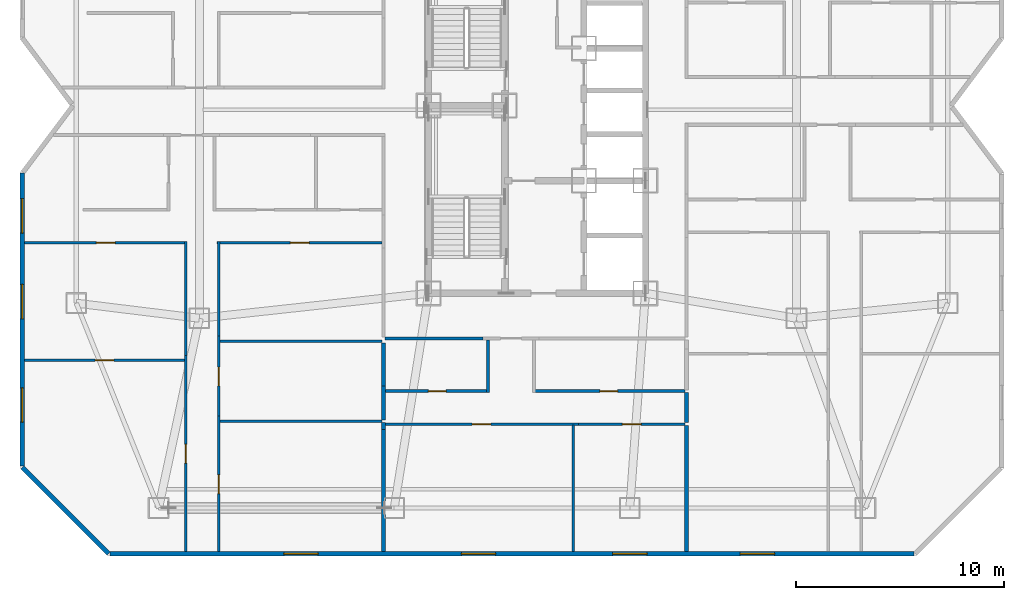
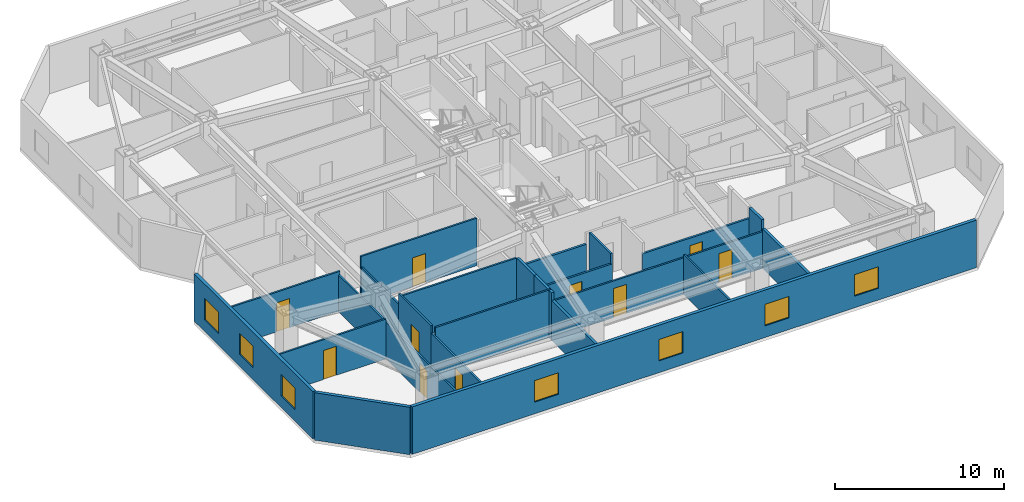
# One storey, part 4 of 10: 26 walls, 10 doors, 7 windows, 17 openings.
"""IFC4 building model written with IfcOpenShell, lengths in metres."""

from ifc_helpers import new_model, si_unit, direction, frame, frame_2d, origin, place, context, subcontext, project, spatial, rectangle, extrude, material, layer, layer_set, type_object, element, fill, save


model = new_model("IFC4")

# Units and contexts
model_context = context("Model", 3, precision=1e-05, world=origin(), true_north=direction((0.0, 1.0)))
body_context = subcontext(model_context, "Body", "Model", "MODEL_VIEW")
ifc_project = project(units=[si_unit("LENGTHUNIT", "METRE"), si_unit("AREAUNIT", "SQUARE_METRE"), si_unit("VOLUMEUNIT", "CUBIC_METRE"), si_unit("PLANEANGLEUNIT", "RADIAN"), si_unit("MASSUNIT", "GRAM", prefix="KILO")], contexts=[model_context])

# Site, building, storey
site_placement = place(None, origin())
site = spatial("IfcSite", under=ifc_project, at=site_placement, CompositionType="ELEMENT")
building_placement = place(site_placement, origin())
building = spatial("IfcBuilding", under=site, at=building_placement, Name="Khamvora Tower", CompositionType="ELEMENT")
storey_placement = place(building_placement, frame((0.0, 0.0, 94.60009765625)))
storey = spatial("IfcBuildingStorey", under=building, at=storey_placement, Name="L23", CompositionType="ELEMENT", Elevation=94.60009765625)

# Walls
ifc_material_1 = material(Name="Fire-Rated Drywall and Steel Stud", Category="steel")
ifc_layer_1 = layer(ifc_material_1, 0.14990234375)
ifc_layer_set_1 = layer_set([ifc_layer_1], Name="Fire-Rated Drywall and Steel Stud")
wall_type_1 = type_object("IfcWallType", Name="WAL-CORR-150", PredefinedType="STANDARD", material=ifc_layer_set_1)
wall_1_placement = place(storey_placement, frame((31.60107421875, 16.8349609375, 0.0), z_axis=(0.0, 0.0, 1.0), x_axis=(-1.0, 0.0, 0.0)))
element("IfcWall", 1, at=wall_1_placement, inside=storey, type_object=wall_type_1, Name="L23 interior partition wall 019", PredefinedType="STANDARD", context=body_context, shape_type="SweptSolid", body=[
    extrude(rectangle(XDim=4.701171875, YDim=0.14990234375, at=frame_2d((2.3505859375, 0.0))), origin(), (0.0, 0.0, 1.0), 2.64697265625),
])
ifc_material_2 = material(Name="Acoustic Double-Stud Fire Wall", Category="gypsum")
ifc_layer_2 = layer(ifc_material_2, 0.179931640625)
ifc_layer_set_2 = layer_set([ifc_layer_2], Name="Acoustic Double-Stud Fire Wall")
wall_type_2 = type_object("IfcWallType", Name="WAL-CORR-180", PredefinedType="STANDARD", material=ifc_layer_set_2)
wall_2_placement = place(storey_placement, frame((26.8349609375, 12.798095703125, 0.0), z_axis=(0.0, 0.0, 1.0), x_axis=(0.0, -1.0, 0.0)))
element("IfcWall", 2, at=wall_2_placement, inside=storey, type_object=wall_type_2, Name="L23 interior partition wall 052", PredefinedType="STANDARD", context=body_context, shape_type="SweptSolid", body=[
    extrude(rectangle(XDim=0.322021484375, YDim=0.179931640625, at=frame_2d((0.1611328125, 0.0))), origin(), (0.0, 0.0, 1.0), 3.429931640625),
])
wall_3_placement = place(storey_placement, frame((26.8349609375, 12.47607421875, 0.0), z_axis=(0.0, 0.0, 1.0), x_axis=(0.0, -1.0, 0.0)))
element("IfcWall", 3, at=wall_3_placement, inside=storey, type_object=wall_type_2, Name="L23 interior partition wall 053", PredefinedType="STANDARD", context=body_context, shape_type="SweptSolid", body=[
    extrude(rectangle(XDim=5.864013671875, YDim=0.179931640625, at=frame_2d((2.93212890625, 0.0))), origin(), (0.0, 0.0, 1.0), 2.8759765625),
])
wall_4_placement = place(storey_placement, frame((26.8349609375, 14.553955078125, 0.0), z_axis=(0.0, 0.0, 1.0), x_axis=(0.0, -1.0, 0.0)))
element("IfcWall", 4, at=wall_4_placement, inside=storey, type_object=wall_type_2, Name="L23 interior partition wall 055", PredefinedType="STANDARD", context=body_context, shape_type="SweptSolid", body=[
    extrude(rectangle(XDim=1.6259765625, YDim=0.179931640625, at=frame_2d((0.81298828125, 0.0))), origin(), (0.0, 0.0, 1.0), 3.429931640625),
])
wall_5_placement = place(storey_placement, frame((26.8349609375, 16.6259765625, 0.0), z_axis=(0.0, 0.0, 1.0), x_axis=(0.0, -1.0, 0.0)))
element("IfcWall", 5, at=wall_5_placement, inside=storey, type_object=wall_type_2, Name="L23 interior partition wall 056", PredefinedType="STANDARD", context=body_context, shape_type="SweptSolid", body=[
    extrude(rectangle(XDim=2.072021484375, YDim=0.179931640625, at=frame_2d((1.0361328125, 0.0))), origin(), (0.0, 0.0, 1.0), 3.429931640625),
])
wall_6_placement = place(storey_placement, frame((41.364990234375, 14.239990234375, 0.0), z_axis=(0.0, 0.0, 1.0), x_axis=(0.0, -1.0, 0.0)))
element("IfcWall", 6, at=wall_6_placement, inside=storey, type_object=wall_type_2, Name="L23 interior partition wall 081", PredefinedType="STANDARD", context=body_context, shape_type="SweptSolid", body=[
    extrude(rectangle(XDim=1.449951171875, YDim=0.179931640625, at=frame_2d((0.72509765625, 0.0))), origin(), (0.0, 0.0, 1.0), 3.429931640625),
])
wall_7_placement = place(storey_placement, frame((41.364990234375, 12.659912109375, 0.0), z_axis=(0.0, 0.0, 1.0), x_axis=(0.0, -1.0, 0.0)))
element("IfcWall", 7, at=wall_7_placement, inside=storey, type_object=wall_type_2, Name="L23 interior partition wall 085", PredefinedType="STANDARD", context=body_context, shape_type="SweptSolid", body=[
    extrude(rectangle(XDim=6.0478515625, YDim=0.179931640625, at=frame_2d((3.02392578125, 0.0))), origin(), (0.0, 0.0, 1.0), 2.8759765625),
])
ifc_material_3 = material(Name="Precast concrete C40/50", Category="concrete")
ifc_layer_3 = layer(ifc_material_3, 0.219970703125)
ifc_layer_set_3 = layer_set([ifc_layer_3], Name="Precast concrete C40/50")
wall_type_3 = type_object("IfcWallType", Name="WAL-EXT-220", PredefinedType="STANDARD", material=ifc_layer_set_3)
wall_8_placement = place(storey_placement, frame((13.64599609375, 6.510009765625, 0.0), z_axis=(0.0, 0.0, 1.0), x_axis=(-0.707106781187, 0.707106781187, 0.0)))
element("IfcWall", 8, at=wall_8_placement, inside=storey, type_object=wall_type_3, Name="L23 exterior facade wall 01.1", PredefinedType="STANDARD", context=body_context, shape_type="SweptSolid", body=[
    extrude(rectangle(XDim=5.84912109375, YDim=0.219970703125, at=frame_2d((2.924560546875, 0.0))), origin(), (0.0, 0.0, 1.0), 3.429931640625),
])

# Wall, openings, windows
wall_9_placement = place(storey_placement, frame((9.510009765625, 10.717041015625, 0.0), z_axis=(0.0, 0.0, 1.0), x_axis=(0.0, 1.0, 0.0)))
wall_9 = element("IfcWall", 9, at=wall_9_placement, inside=storey, type_object=wall_type_3, Name="L23 exterior facade wall 02.1", PredefinedType="STANDARD", context=body_context, shape_type="SweptSolid", body=[
    extrude(rectangle(XDim=14.0458984375, YDim=0.219970703125, at=frame_2d((7.02294921875, 0.0))), origin(), (0.0, 0.0, 1.0), 3.429931640625),
])
opening_1_placement = place(wall_9_placement, frame((11.173095703125, 0.0, 0.85009765625)))
opening_1 = element("IfcOpeningElement", 10, at=opening_1_placement, cuts=wall_9, Name="Opening WN-06", PredefinedType="OPENING", context=body_context, shape_type="SweptSolid", body=[
    extrude(rectangle(XDim=1.64990234375, YDim=1.550048828125, at=frame_2d((0.824951171875, 0.77490234375))), frame((0.0, 0.119873046875, 0.0), z_axis=(0.0, -1.0, 0.0), x_axis=(1.0, 0.0, 0.0)), (0.0, 0.0, 1.0), 0.239990234375),
])
opening_2_placement = place(wall_9_placement, frame((2.097900390625, 0.0, 0.85009765625)))
opening_2 = element("IfcOpeningElement", 11, at=opening_2_placement, cuts=wall_9, Name="Opening WN-06", PredefinedType="OPENING", context=body_context, shape_type="SweptSolid", body=[
    extrude(rectangle(XDim=1.64990234375, YDim=1.550048828125, at=frame_2d((0.824951171875, 0.77490234375))), frame((0.0, 0.119873046875, 0.0), z_axis=(0.0, -1.0, 0.0), x_axis=(1.0, 0.0, 0.0)), (0.0, 0.0, 1.0), 0.239990234375),
])
opening_3_placement = place(wall_9_placement, frame((7.05908203125, 0.0, 0.85009765625)))
opening_3 = element("IfcOpeningElement", 12, at=opening_3_placement, cuts=wall_9, Name="Opening WN-06", PredefinedType="OPENING", context=body_context, shape_type="SweptSolid", body=[
    extrude(rectangle(XDim=1.64990234375, YDim=1.550048828125, at=frame_2d((0.824951171875, 0.77490234375))), frame((0.0, 0.119873046875, 0.0), z_axis=(0.0, -1.0, 0.0), x_axis=(1.0, 0.0, 0.0)), (0.0, 0.0, 1.0), 0.239990234375),
])
ifc_material_4 = material(Name="Low-E Laminated Double Glazing", Category="glass")
window_type = type_object("IfcWindowType", Name="WIN-VIS-1650x1550", PartitioningType="SINGLE_PANEL", PredefinedType="WINDOW", material=ifc_material_4)
window_1_placement = place(opening_1_placement, origin())
window_1 = element("IfcWindow", 13, at=window_1_placement, inside=storey, type_object=window_type, Name="L23 vision window 02.1.01", OverallHeight=1.550048828125, OverallWidth=1.64990234375, PartitioningType="SINGLE_PANEL", PredefinedType="WINDOW", context=body_context, shape_type="SweptSolid", body=[
    extrude(rectangle(XDim=1.64990234375, YDim=1.550048828125, at=frame_2d((0.824951171875, 0.77490234375))), frame((0.0, 0.030029296875, 0.0), z_axis=(0.0, -1.0, 0.0), x_axis=(1.0, 0.0, 0.0)), (0.0, 0.0, 1.0), 0.06005859375),
])
fill(opening_1, window_1)
window_2_placement = place(opening_2_placement, origin())
window_2 = element("IfcWindow", 14, at=window_2_placement, inside=storey, type_object=window_type, Name="L23 vision window 02.1.02", OverallHeight=1.550048828125, OverallWidth=1.64990234375, PartitioningType="SINGLE_PANEL", PredefinedType="WINDOW", context=body_context, shape_type="SweptSolid", body=[
    extrude(rectangle(XDim=1.64990234375, YDim=1.550048828125, at=frame_2d((0.824951171875, 0.77490234375))), frame((0.0, 0.030029296875, 0.0), z_axis=(0.0, -1.0, 0.0), x_axis=(1.0, 0.0, 0.0)), (0.0, 0.0, 1.0), 0.06005859375),
])
fill(opening_2, window_2)
window_3_placement = place(opening_3_placement, origin())
window_3 = element("IfcWindow", 15, at=window_3_placement, inside=storey, type_object=window_type, Name="L23 vision window 02.1.03", OverallHeight=1.550048828125, OverallWidth=1.64990234375, PartitioningType="SINGLE_PANEL", PredefinedType="WINDOW", context=body_context, shape_type="SweptSolid", body=[
    extrude(rectangle(XDim=1.64990234375, YDim=1.550048828125, at=frame_2d((0.824951171875, 0.77490234375))), frame((0.0, 0.030029296875, 0.0), z_axis=(0.0, -1.0, 0.0), x_axis=(1.0, 0.0, 0.0)), (0.0, 0.0, 1.0), 0.06005859375),
])
fill(opening_3, window_3)

wall_10_placement = place(storey_placement, frame((52.282958984375, 6.510009765625, 0.0), z_axis=(0.0, 0.0, 1.0), x_axis=(-1.0, 0.0, 0.0)))
wall_10 = element("IfcWall", 16, at=wall_10_placement, inside=storey, type_object=wall_type_3, Name="L23 exterior facade wall 14.1", PredefinedType="STANDARD", context=body_context, shape_type="SweptSolid", body=[
    extrude(rectangle(XDim=38.56787109375, YDim=0.219970703125, at=frame_2d((19.283935546875, 0.0))), origin(), (0.0, 0.0, 1.0), 3.429931640625),
])
opening_4_placement = place(wall_10_placement, frame((28.577880859375, 0.0, 0.85009765625)))
opening_4 = element("IfcOpeningElement", 17, at=opening_4_placement, cuts=wall_10, Name="Opening WN-06", PredefinedType="OPENING", context=body_context, shape_type="SweptSolid", body=[
    extrude(rectangle(XDim=1.64990234375, YDim=1.550048828125, at=frame_2d((0.824951171875, 0.77490234375))), frame((0.0, 0.119873046875, 0.0), z_axis=(0.0, -1.0, 0.0), x_axis=(1.0, 0.0, 0.0)), (0.0, 0.0, 1.0), 0.239990234375),
])
opening_5_placement = place(wall_10_placement, frame((20.06689453125, 0.0, 0.85009765625)))
opening_5 = element("IfcOpeningElement", 18, at=opening_5_placement, cuts=wall_10, Name="Opening WN-06", PredefinedType="OPENING", context=body_context, shape_type="SweptSolid", body=[
    extrude(rectangle(XDim=1.64990234375, YDim=1.550048828125, at=frame_2d((0.824951171875, 0.77490234375))), frame((0.0, 0.119873046875, 0.0), z_axis=(0.0, -1.0, 0.0), x_axis=(1.0, 0.0, 0.0)), (0.0, 0.0, 1.0), 0.239990234375),
])
opening_6_placement = place(wall_10_placement, frame((12.802001953125, 0.0, 0.85009765625)))
opening_6 = element("IfcOpeningElement", 19, at=opening_6_placement, cuts=wall_10, Name="Opening WN-06", PredefinedType="OPENING", context=body_context, shape_type="SweptSolid", body=[
    extrude(rectangle(XDim=1.64990234375, YDim=1.550048828125, at=frame_2d((0.824951171875, 0.77490234375))), frame((0.0, 0.119873046875, 0.0), z_axis=(0.0, -1.0, 0.0), x_axis=(1.0, 0.0, 0.0)), (0.0, 0.0, 1.0), 0.239990234375),
])
opening_7_placement = place(wall_10_placement, frame((6.68798828125, 0.0, 0.85009765625)))
opening_7 = element("IfcOpeningElement", 20, at=opening_7_placement, cuts=wall_10, Name="Opening WN-06", PredefinedType="OPENING", context=body_context, shape_type="SweptSolid", body=[
    extrude(rectangle(XDim=1.64990234375, YDim=1.550048828125, at=frame_2d((0.824951171875, 0.77490234375))), frame((0.0, 0.119873046875, 0.0), z_axis=(0.0, -1.0, 0.0), x_axis=(1.0, 0.0, 0.0)), (0.0, 0.0, 1.0), 0.239990234375),
])
window_4_placement = place(opening_4_placement, origin())
window_4 = element("IfcWindow", 21, at=window_4_placement, inside=storey, type_object=window_type, Name="L23 vision window 14.1.01", OverallHeight=1.550048828125, OverallWidth=1.64990234375, PartitioningType="SINGLE_PANEL", PredefinedType="WINDOW", context=body_context, shape_type="SweptSolid", body=[
    extrude(rectangle(XDim=1.64990234375, YDim=1.550048828125, at=frame_2d((0.824951171875, 0.77490234375))), frame((0.0, 0.030029296875, 0.0), z_axis=(0.0, -1.0, 0.0), x_axis=(1.0, 0.0, 0.0)), (0.0, 0.0, 1.0), 0.06005859375),
])
fill(opening_4, window_4)
window_5_placement = place(opening_5_placement, origin())
window_5 = element("IfcWindow", 22, at=window_5_placement, inside=storey, type_object=window_type, Name="L23 vision window 14.1.02", OverallHeight=1.550048828125, OverallWidth=1.64990234375, PartitioningType="SINGLE_PANEL", PredefinedType="WINDOW", context=body_context, shape_type="SweptSolid", body=[
    extrude(rectangle(XDim=1.64990234375, YDim=1.550048828125, at=frame_2d((0.824951171875, 0.77490234375))), frame((0.0, 0.030029296875, 0.0), z_axis=(0.0, -1.0, 0.0), x_axis=(1.0, 0.0, 0.0)), (0.0, 0.0, 1.0), 0.06005859375),
])
fill(opening_5, window_5)
window_6_placement = place(opening_6_placement, origin())
window_6 = element("IfcWindow", 23, at=window_6_placement, inside=storey, type_object=window_type, Name="L23 vision window 14.1.03", OverallHeight=1.550048828125, OverallWidth=1.64990234375, PartitioningType="SINGLE_PANEL", PredefinedType="WINDOW", context=body_context, shape_type="SweptSolid", body=[
    extrude(rectangle(XDim=1.64990234375, YDim=1.550048828125, at=frame_2d((0.824951171875, 0.77490234375))), frame((0.0, 0.030029296875, 0.0), z_axis=(0.0, -1.0, 0.0), x_axis=(1.0, 0.0, 0.0)), (0.0, 0.0, 1.0), 0.06005859375),
])
fill(opening_6, window_6)
window_7_placement = place(opening_7_placement, origin())
window_7 = element("IfcWindow", 24, at=window_7_placement, inside=storey, type_object=window_type, Name="L23 vision window 14.1.04", OverallHeight=1.550048828125, OverallWidth=1.64990234375, PartitioningType="SINGLE_PANEL", PredefinedType="WINDOW", context=body_context, shape_type="SweptSolid", body=[
    extrude(rectangle(XDim=1.64990234375, YDim=1.550048828125, at=frame_2d((0.824951171875, 0.77490234375))), frame((0.0, 0.030029296875, 0.0), z_axis=(0.0, -1.0, 0.0), x_axis=(1.0, 0.0, 0.0)), (0.0, 0.0, 1.0), 0.06005859375),
])
fill(opening_7, window_7)

# Wall, opening, door
ifc_material_5 = material(Name="Gypsum Plasterboard Partition", Category="gypsum")
ifc_layer_4 = layer(ifc_material_5, 0.1201171875)
ifc_layer_set_4 = layer_set([ifc_layer_4], Name="Gypsum Plasterboard Partition")
wall_type_4 = type_object("IfcWallType", Name="WAL-PART-120", PredefinedType="PARTITIONING", material=ifc_layer_set_4)
wall_11_placement = place(storey_placement, frame((17.35498046875, 6.612060546875, 0.0), z_axis=(0.0, 0.0, 1.0), x_axis=(0.0, 1.0, 0.0)))
wall_11 = element("IfcWall", 25, at=wall_11_placement, inside=storey, type_object=wall_type_4, Name="L23 interior partition wall 043", PredefinedType="PARTITIONING", context=body_context, shape_type="SweptSolid", body=[
    extrude(rectangle(XDim=9.413818359375, YDim=0.1201171875, at=frame_2d((4.70703125, 0.0))), origin(), (0.0, 0.0, 1.0), 2.64697265625),
])
opening_8_placement = place(wall_11_placement, frame((4.236083984375, 0.0, 0.0)))
opening_8 = element("IfcOpeningElement", 26, at=opening_8_placement, cuts=wall_11, Name="Opening D-RM1", PredefinedType="OPENING", context=body_context, shape_type="SweptSolid", body=[
    extrude(rectangle(XDim=0.89990234375, YDim=2.10009765625, at=frame_2d((0.449951171875, 1.050048828125))), frame((0.0, 0.070068359375, 0.0), z_axis=(0.0, -1.0, 0.0), x_axis=(1.0, 0.0, 0.0)), (0.0, 0.0, 1.0), 0.14013671875),
])
ifc_material_6 = material(Name="Powder-Coated Steel and Hardwood Leaf", Category="steel")
door_type_1 = type_object("IfcDoorType", Name="DOR-ROOM-900", OperationType="NOTDEFINED", PredefinedType="DOOR", material=ifc_material_6)
door_1_placement = place(opening_8_placement, origin())
door_1 = element("IfcDoor", 27, at=door_1_placement, inside=storey, type_object=door_type_1, Name="L23 interior door 23WAH-23WAR1", OperationType="SINGLE_SWING_RIGHT", OverallHeight=2.10009765625, OverallWidth=0.89990234375, PredefinedType="DOOR", context=body_context, shape_type="SweptSolid", body=[
    extrude(rectangle(XDim=0.89990234375, YDim=2.10009765625, at=frame_2d((0.449951171875, 1.050048828125))), frame((0.0, 0.02490234375, 0.0), z_axis=(0.0, -1.0, 0.0), x_axis=(1.0, 0.0, 0.0)), (0.0, 0.0, 1.0), 0.050048828125),
])
fill(opening_8, door_1)

# Wall
wall_12_placement = place(storey_placement, frame((17.35498046875, 16.02587890625, 0.0), z_axis=(0.0, 0.0, 1.0), x_axis=(0.0, 1.0, 0.0)))
element("IfcWall", 28, at=wall_12_placement, inside=storey, type_object=wall_type_4, Name="L23 interior partition wall 044", PredefinedType="PARTITIONING", context=body_context, shape_type="SweptSolid", body=[
    extrude(rectangle(XDim=5.464111328125, YDim=0.1201171875, at=frame_2d((2.73193359375, 0.0))), origin(), (0.0, 0.0, 1.0), 2.64697265625),
])

# Wall, opening, door
wall_13_placement = place(storey_placement, frame((17.419921875, 21.425048828125, 0.0), z_axis=(0.0, 0.0, 1.0), x_axis=(-1.0, 0.0, 0.0)))
wall_13 = element("IfcWall", 29, at=wall_13_placement, inside=storey, type_object=wall_type_4, Name="L23 interior partition wall 045", PredefinedType="PARTITIONING", context=body_context, shape_type="SweptSolid", body=[
    extrude(rectangle(XDim=7.807861328125, YDim=0.1201171875, at=frame_2d((3.90380859375, 0.0))), origin(), (0.0, 0.0, 1.0), 2.8759765625),
])
opening_9_placement = place(wall_13_placement, frame((3.4541015625, 0.0, 0.0)))
opening_9 = element("IfcOpeningElement", 30, at=opening_9_placement, cuts=wall_13, Name="Opening D-RM1", PredefinedType="OPENING", context=body_context, shape_type="SweptSolid", body=[
    extrude(rectangle(XDim=0.89990234375, YDim=2.10009765625, at=frame_2d((0.449951171875, 1.050048828125))), frame((0.0, 0.070068359375, 0.0), z_axis=(0.0, -1.0, 0.0), x_axis=(1.0, 0.0, 0.0)), (0.0, 0.0, 1.0), 0.14013671875),
])
door_2_placement = place(opening_9_placement, origin())
door_2 = element("IfcDoor", 31, at=door_2_placement, inside=storey, type_object=door_type_1, Name="L23 interior door 23WAH-23WAR2", OperationType="SINGLE_SWING_LEFT", OverallHeight=2.10009765625, OverallWidth=0.89990234375, PredefinedType="DOOR", context=body_context, shape_type="SweptSolid", body=[
    extrude(rectangle(XDim=0.89990234375, YDim=2.10009765625, at=frame_2d((0.449951171875, 1.050048828125))), frame((0.0, 0.02490234375, 0.0), z_axis=(0.0, -1.0, 0.0), x_axis=(1.0, 0.0, 0.0)), (0.0, 0.0, 1.0), 0.050048828125),
])
fill(opening_9, door_2)

wall_14_placement = place(storey_placement, frame((18.925048828125, 13.113037109375, 0.0), z_axis=(0.0, 0.0, 1.0), x_axis=(0.0, -1.0, 0.0)))
wall_14 = element("IfcWall", 32, at=wall_14_placement, inside=storey, type_object=wall_type_4, Name="L23 interior partition wall 046", PredefinedType="PARTITIONING", context=body_context, shape_type="SweptSolid", body=[
    extrude(rectangle(XDim=6.5009765625, YDim=0.1201171875, at=frame_2d((3.25048828125, 0.0))), origin(), (0.0, 0.0, 1.0), 2.8759765625),
])
opening_10_placement = place(wall_14_placement, frame((2.822021484375, 0.0, 0.0)))
opening_10 = element("IfcOpeningElement", 33, at=opening_10_placement, cuts=wall_14, Name="Opening D-RM1", PredefinedType="OPENING", context=body_context, shape_type="SweptSolid", body=[
    extrude(rectangle(XDim=0.89990234375, YDim=2.10009765625, at=frame_2d((0.449951171875, 1.050048828125))), frame((0.0, 0.070068359375, 0.0), z_axis=(0.0, -1.0, 0.0), x_axis=(1.0, 0.0, 0.0)), (0.0, 0.0, 1.0), 0.14013671875),
])
door_3_placement = place(opening_10_placement, origin())
door_3 = element("IfcDoor", 34, at=door_3_placement, inside=storey, type_object=door_type_1, Name="L23 interior door 23WAH-23WAR3", OperationType="SINGLE_SWING_RIGHT", OverallHeight=2.10009765625, OverallWidth=0.89990234375, PredefinedType="DOOR", context=body_context, shape_type="SweptSolid", body=[
    extrude(rectangle(XDim=0.89990234375, YDim=2.10009765625, at=frame_2d((0.449951171875, 1.050048828125))), frame((0.0, 0.02490234375, 0.0), z_axis=(0.0, -1.0, 0.0), x_axis=(1.0, 0.0, 0.0)), (0.0, 0.0, 1.0), 0.050048828125),
])
fill(opening_10, door_3)

wall_15_placement = place(storey_placement, frame((18.925048828125, 16.93994140625, 0.0), z_axis=(0.0, 0.0, 1.0), x_axis=(0.0, -1.0, 0.0)))
wall_15 = element("IfcWall", 35, at=wall_15_placement, inside=storey, type_object=wall_type_4, Name="L23 interior partition wall 047", PredefinedType="PARTITIONING", context=body_context, shape_type="SweptSolid", body=[
    extrude(rectangle(XDim=3.826904296875, YDim=0.1201171875, at=frame_2d((1.91357421875, 0.0))), origin(), (0.0, 0.0, 1.0), 3.429931640625),
])
opening_11_placement = place(wall_15_placement, frame((1.48388671875, 0.0, 0.0)))
opening_11 = element("IfcOpeningElement", 36, at=opening_11_placement, cuts=wall_15, Name="Opening D-RM1", PredefinedType="OPENING", context=body_context, shape_type="SweptSolid", body=[
    extrude(rectangle(XDim=0.89990234375, YDim=2.10009765625, at=frame_2d((0.449951171875, 1.050048828125))), frame((0.0, 0.070068359375, 0.0), z_axis=(0.0, -1.0, 0.0), x_axis=(1.0, 0.0, 0.0)), (0.0, 0.0, 1.0), 0.14013671875),
])
door_4_placement = place(opening_11_placement, origin())
door_4 = element("IfcDoor", 37, at=door_4_placement, inside=storey, type_object=door_type_1, Name="L23 interior door 23WAH-23WAR4", OperationType="SINGLE_SWING_LEFT", OverallHeight=2.10009765625, OverallWidth=0.89990234375, PredefinedType="DOOR", context=body_context, shape_type="SweptSolid", body=[
    extrude(rectangle(XDim=0.89990234375, YDim=2.10009765625, at=frame_2d((0.449951171875, 1.050048828125))), frame((0.0, 0.02490234375, 0.0), z_axis=(0.0, -1.0, 0.0), x_axis=(1.0, 0.0, 0.0)), (0.0, 0.0, 1.0), 0.050048828125),
])
fill(opening_11, door_4)

wall_16_placement = place(storey_placement, frame((26.77001953125, 21.425048828125, 0.0), z_axis=(0.0, 0.0, 1.0), x_axis=(-1.0, 0.0, 0.0)))
wall_16 = element("IfcWall", 38, at=wall_16_placement, inside=storey, type_object=wall_type_4, Name="L23 interior partition wall 048", PredefinedType="PARTITIONING", context=body_context, shape_type="SweptSolid", body=[
    extrude(rectangle(XDim=7.909912109375, YDim=0.1201171875, at=frame_2d((3.955078125, 0.0))), origin(), (0.0, 0.0, 1.0), 3.429931640625),
])
opening_12_placement = place(wall_16_placement, frame((3.5048828125, 0.0, 0.0)))
opening_12 = element("IfcOpeningElement", 39, at=opening_12_placement, cuts=wall_16, Name="Opening D-RM1", PredefinedType="OPENING", context=body_context, shape_type="SweptSolid", body=[
    extrude(rectangle(XDim=0.89990234375, YDim=2.10009765625, at=frame_2d((0.449951171875, 1.050048828125))), frame((0.0, 0.070068359375, 0.0), z_axis=(0.0, -1.0, 0.0), x_axis=(1.0, 0.0, 0.0)), (0.0, 0.0, 1.0), 0.14013671875),
])
door_5_placement = place(opening_12_placement, origin())
door_5 = element("IfcDoor", 40, at=door_5_placement, inside=storey, type_object=door_type_1, Name="L23 interior door 23WAH-23WAR5", OperationType="SINGLE_SWING_RIGHT", OverallHeight=2.10009765625, OverallWidth=0.89990234375, PredefinedType="DOOR", context=body_context, shape_type="SweptSolid", body=[
    extrude(rectangle(XDim=0.89990234375, YDim=2.10009765625, at=frame_2d((0.449951171875, 1.050048828125))), frame((0.0, 0.02490234375, 0.0), z_axis=(0.0, -1.0, 0.0), x_axis=(1.0, 0.0, 0.0)), (0.0, 0.0, 1.0), 0.050048828125),
])
fill(opening_12, door_5)

# Wall
wall_17_placement = place(storey_placement, frame((18.925048828125, 21.489990234375, 0.0), z_axis=(0.0, 0.0, 1.0), x_axis=(0.0, -1.0, 0.0)))
element("IfcWall", 41, at=wall_17_placement, inside=storey, type_object=wall_type_4, Name="L23 interior partition wall 049", PredefinedType="PARTITIONING", context=body_context, shape_type="SweptSolid", body=[
    extrude(rectangle(XDim=4.550048828125, YDim=0.1201171875, at=frame_2d((2.27490234375, 0.0))), origin(), (0.0, 0.0, 1.0), 2.64697265625),
])

# Wall, opening, door
wall_18_placement = place(storey_placement, frame((9.612060546875, 15.777099609375, 0.0), z_axis=(0.0, 0.0, 1.0), x_axis=(1.0, 0.0, 0.0)))
wall_18 = element("IfcWall", 42, at=wall_18_placement, inside=storey, type_object=wall_type_4, Name="L23 interior partition wall 050", PredefinedType="PARTITIONING", context=body_context, shape_type="SweptSolid", body=[
    extrude(rectangle(XDim=7.68896484375, YDim=0.1201171875, at=frame_2d((3.844482421875, 0.0))), origin(), (0.0, 0.0, 1.0), 2.8759765625),
])
opening_13_placement = place(wall_18_placement, frame((3.39404296875, 0.0, 0.0)))
opening_13 = element("IfcOpeningElement", 43, at=opening_13_placement, cuts=wall_18, Name="Opening D-RM1", PredefinedType="OPENING", context=body_context, shape_type="SweptSolid", body=[
    extrude(rectangle(XDim=0.89990234375, YDim=2.10009765625, at=frame_2d((0.449951171875, 1.050048828125))), frame((0.0, 0.070068359375, 0.0), z_axis=(0.0, -1.0, 0.0), x_axis=(1.0, 0.0, 0.0)), (0.0, 0.0, 1.0), 0.14013671875),
])
door_6_placement = place(opening_13_placement, origin())
door_6 = element("IfcDoor", 44, at=door_6_placement, inside=storey, type_object=door_type_1, Name="L23 interior door 23WAR1-23WAR2", OperationType="SINGLE_SWING_LEFT", OverallHeight=2.10009765625, OverallWidth=0.89990234375, PredefinedType="DOOR", context=body_context, shape_type="SweptSolid", body=[
    extrude(rectangle(XDim=0.89990234375, YDim=2.10009765625, at=frame_2d((0.449951171875, 1.050048828125))), frame((0.0, 0.02490234375, 0.0), z_axis=(0.0, -1.0, 0.0), x_axis=(1.0, 0.0, 0.0)), (0.0, 0.0, 1.0), 0.050048828125),
])
fill(opening_13, door_6)

# Walls
for number, where, z_axis, x_axis, name in (
    (45, (18.97900390625, 12.863037109375, 0.0), (0.0, 0.0, 1.0), (1.0, 0.0, 0.0), "L23 interior partition wall 051"),
    (46, (18.97900390625, 16.69091796875, 0.0), (0.0, 0.0, 1.0), (1.0, 0.0, 0.0), "L23 interior partition wall 054"),
):
    element("IfcWall", number, at=place(storey_placement, frame(where, z_axis=z_axis, x_axis=x_axis)), inside=storey, type_object=wall_type_4, Name=name, PredefinedType="PARTITIONING", context=body_context, shape_type="SweptSolid", body=[
        extrude(rectangle(XDim=7.791015625, YDim=0.1201171875, at=frame_2d((3.8955078125, 0.0))), origin(), (0.0, 0.0, 1.0), 3.429931640625),
    ])

# Wall, opening, door
wall_19_placement = place(storey_placement, frame((36.196044921875, 12.72509765625, 0.0), z_axis=(0.0, 0.0, 1.0), x_axis=(-1.0, 0.0, 0.0)))
wall_19 = element("IfcWall", 47, at=wall_19_placement, inside=storey, type_object=wall_type_4, Name="L23 interior partition wall 079", PredefinedType="PARTITIONING", context=body_context, shape_type="SweptSolid", body=[
    extrude(rectangle(XDim=9.279052734375, YDim=0.1201171875, at=frame_2d((4.6396484375, 0.0))), origin(), (0.0, 0.0, 1.0), 2.64697265625),
])
opening_14_placement = place(wall_19_placement, frame((4.2099609375, 0.0, 0.0)))
opening_14 = element("IfcOpeningElement", 48, at=opening_14_placement, cuts=wall_19, Name="Opening D-RM1", PredefinedType="OPENING", context=body_context, shape_type="SweptSolid", body=[
    extrude(rectangle(XDim=0.89990234375, YDim=2.10009765625, at=frame_2d((0.449951171875, 1.050048828125))), frame((0.0, 0.070068359375, 0.0), z_axis=(0.0, -1.0, 0.0), x_axis=(1.0, 0.0, 0.0)), (0.0, 0.0, 1.0), 0.14013671875),
])
door_7_placement = place(opening_14_placement, origin())
door_7 = element("IfcDoor", 49, at=door_7_placement, inside=storey, type_object=door_type_1, Name="L23 interior door 23SAH-23SAR1", OperationType="SINGLE_SWING_LEFT", OverallHeight=2.10009765625, OverallWidth=0.89990234375, PredefinedType="DOOR", context=body_context, shape_type="SweptSolid", body=[
    extrude(rectangle(XDim=0.89990234375, YDim=2.10009765625, at=frame_2d((0.449951171875, 1.050048828125))), frame((0.0, 0.02490234375, 0.0), z_axis=(0.0, -1.0, 0.0), x_axis=(1.0, 0.0, 0.0)), (0.0, 0.0, 1.0), 0.050048828125),
])
fill(opening_14, door_7)

wall_20_placement = place(storey_placement, frame((41.300048828125, 12.72509765625, 0.0), z_axis=(0.0, 0.0, 1.0), x_axis=(-1.0, 0.0, 0.0)))
wall_20 = element("IfcWall", 50, at=wall_20_placement, inside=storey, type_object=wall_type_4, Name="L23 interior partition wall 080", PredefinedType="PARTITIONING", context=body_context, shape_type="SweptSolid", body=[
    extrude(rectangle(XDim=5.10400390625, YDim=0.1201171875, at=frame_2d((2.552001953125, 0.0))), origin(), (0.0, 0.0, 1.0), 2.64697265625),
])
opening_15_placement = place(wall_20_placement, frame((2.10205078125, 0.0, 0.0)))
opening_15 = element("IfcOpeningElement", 51, at=opening_15_placement, cuts=wall_20, Name="Opening D-RM1", PredefinedType="OPENING", context=body_context, shape_type="SweptSolid", body=[
    extrude(rectangle(XDim=0.89990234375, YDim=2.10009765625, at=frame_2d((0.449951171875, 1.050048828125))), frame((0.0, 0.070068359375, 0.0), z_axis=(0.0, -1.0, 0.0), x_axis=(1.0, 0.0, 0.0)), (0.0, 0.0, 1.0), 0.14013671875),
])
door_8_placement = place(opening_15_placement, origin())
door_8 = element("IfcDoor", 52, at=door_8_placement, inside=storey, type_object=door_type_1, Name="L23 interior door 23SAH-23SAR2", OperationType="SINGLE_SWING_RIGHT", OverallHeight=2.10009765625, OverallWidth=0.89990234375, PredefinedType="DOOR", context=body_context, shape_type="SweptSolid", body=[
    extrude(rectangle(XDim=0.89990234375, YDim=2.10009765625, at=frame_2d((0.449951171875, 1.050048828125))), frame((0.0, 0.02490234375, 0.0), z_axis=(0.0, -1.0, 0.0), x_axis=(1.0, 0.0, 0.0)), (0.0, 0.0, 1.0), 0.050048828125),
])
fill(opening_15, door_8)

# Wall
wall_21_placement = place(storey_placement, frame((35.947021484375, 12.6708984375, 0.0), z_axis=(0.0, 0.0, 1.0), x_axis=(0.0, -1.0, 0.0)))
element("IfcWall", 53, at=wall_21_placement, inside=storey, type_object=wall_type_4, Name="L23 interior partition wall 084", PredefinedType="PARTITIONING", context=body_context, shape_type="SweptSolid", body=[
    extrude(rectangle(XDim=6.058837890625, YDim=0.1201171875, at=frame_2d((3.029296875, 0.0))), origin(), (0.0, 0.0, 1.0), 2.8759765625),
])

# Wall, opening, door
ifc_material_7 = material(Name="Moisture-Resistant Plasterboard Partition", Category="gypsum")
ifc_layer_5 = layer(ifc_material_7, 0.135009765625)
ifc_layer_set_5 = layer_set([ifc_layer_5], Name="Moisture-Resistant Plasterboard Partition")
wall_type_5 = type_object("IfcWallType", Name="WAL-WET-135", PredefinedType="PARTITIONING", material=ifc_layer_set_5)
wall_22_placement = place(storey_placement, frame((26.9169921875, 14.304931640625, 0.0), z_axis=(0.0, 0.0, 1.0), x_axis=(1.0, 0.0, 0.0)))
wall_22 = element("IfcWall", 54, at=wall_22_placement, inside=storey, type_object=wall_type_5, Name="L23 interior partition wall 075", PredefinedType="PARTITIONING", context=body_context, shape_type="SweptSolid", body=[
    extrude(rectangle(XDim=4.998046875, YDim=0.135009765625, at=frame_2d((2.4990234375, 0.0))), origin(), (0.0, 0.0, 1.0), 2.64697265625),
])
opening_16_placement = place(wall_22_placement, frame((2.073974609375, 0.0, 0.0)))
opening_16 = element("IfcOpeningElement", 55, at=opening_16_placement, cuts=wall_22, Name="Opening D-WC1", PredefinedType="OPENING", context=body_context, shape_type="SweptSolid", body=[
    extrude(rectangle(XDim=0.85009765625, YDim=2.10009765625, at=frame_2d((0.425048828125, 1.050048828125))), frame((0.0, 0.077392578125, 0.0), z_axis=(0.0, -1.0, 0.0), x_axis=(1.0, 0.0, 0.0)), (0.0, 0.0, 1.0), 0.155029296875),
])
door_type_2 = type_object("IfcDoorType", Name="DOR-WET-850", OperationType="NOTDEFINED", PredefinedType="DOOR", material=ifc_material_6)
door_9_placement = place(opening_16_placement, origin())
door_9 = element("IfcDoor", 56, at=door_9_placement, inside=storey, type_object=door_type_2, Name="L23 interior door 23SAH-23SAB", OperationType="SINGLE_SWING_LEFT", OverallHeight=2.10009765625, OverallWidth=0.85009765625, PredefinedType="DOOR", context=body_context, shape_type="SweptSolid", body=[
    extrude(rectangle(XDim=0.85009765625, YDim=2.10009765625, at=frame_2d((0.425048828125, 1.050048828125))), frame((0.0, 0.02490234375, 0.0), z_axis=(0.0, -1.0, 0.0), x_axis=(1.0, 0.0, 0.0)), (0.0, 0.0, 1.0), 0.050048828125),
])
fill(opening_16, door_9)

# Wall
wall_23_placement = place(storey_placement, frame((31.85009765625, 14.239990234375, 0.0), z_axis=(0.0, 0.0, 1.0), x_axis=(0.0, 1.0, 0.0)))
element("IfcWall", 57, at=wall_23_placement, inside=storey, type_object=wall_type_5, Name="L23 interior partition wall 076", PredefinedType="PARTITIONING", context=body_context, shape_type="SweptSolid", body=[
    extrude(rectangle(XDim=2.530029296875, YDim=0.135009765625, at=frame_2d((1.26513671875, 0.0))), origin(), (0.0, 0.0, 1.0), 3.429931640625),
])

# Wall, opening, door
wall_24_placement = place(storey_placement, frame((33.985107421875, 14.304931640625, 0.0), z_axis=(0.0, 0.0, 1.0), x_axis=(1.0, 0.0, 0.0)))
wall_24 = element("IfcWall", 58, at=wall_24_placement, inside=storey, type_object=wall_type_5, Name="L23 interior partition wall 078", PredefinedType="PARTITIONING", context=body_context, shape_type="SweptSolid", body=[
    extrude(rectangle(XDim=7.31494140625, YDim=0.135009765625, at=frame_2d((3.657470703125, 0.0))), origin(), (0.0, 0.0, 1.0), 2.64697265625),
])
opening_17_placement = place(wall_24_placement, frame((3.23291015625, 0.0, 0.0)))
opening_17 = element("IfcOpeningElement", 59, at=opening_17_placement, cuts=wall_24, Name="Opening D-RM2", PredefinedType="OPENING", context=body_context, shape_type="SweptSolid", body=[
    extrude(rectangle(XDim=0.85009765625, YDim=2.10009765625, at=frame_2d((0.425048828125, 1.050048828125))), frame((0.0, 0.077392578125, 0.0), z_axis=(0.0, -1.0, 0.0), x_axis=(1.0, 0.0, 0.0)), (0.0, 0.0, 1.0), 0.155029296875),
])
door_type_3 = type_object("IfcDoorType", Name="DOR-ROOM-850", OperationType="NOTDEFINED", PredefinedType="DOOR", material=ifc_material_6)
door_10_placement = place(opening_17_placement, origin())
door_10 = element("IfcDoor", 60, at=door_10_placement, inside=storey, type_object=door_type_3, Name="L23 interior door 23SAH-23SAK", OperationType="SINGLE_SWING_RIGHT", OverallHeight=2.10009765625, OverallWidth=0.85009765625, PredefinedType="DOOR", context=body_context, shape_type="SweptSolid", body=[
    extrude(rectangle(XDim=0.85009765625, YDim=2.10009765625, at=frame_2d((0.425048828125, 1.050048828125))), frame((0.0, 0.02490234375, 0.0), z_axis=(0.0, -1.0, 0.0), x_axis=(1.0, 0.0, 0.0)), (0.0, 0.0, 1.0), 0.050048828125),
])
fill(opening_17, door_10)

save(model, "model.ifc")
